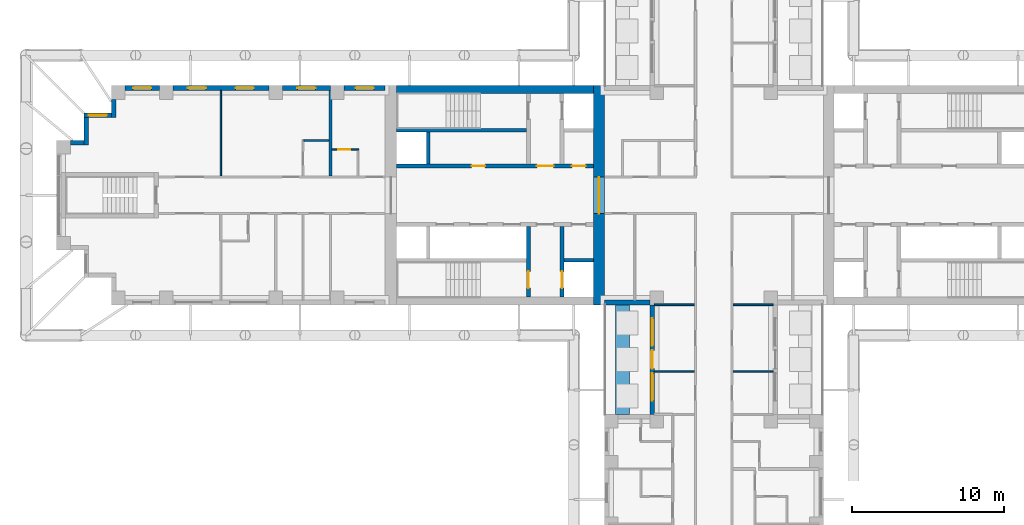
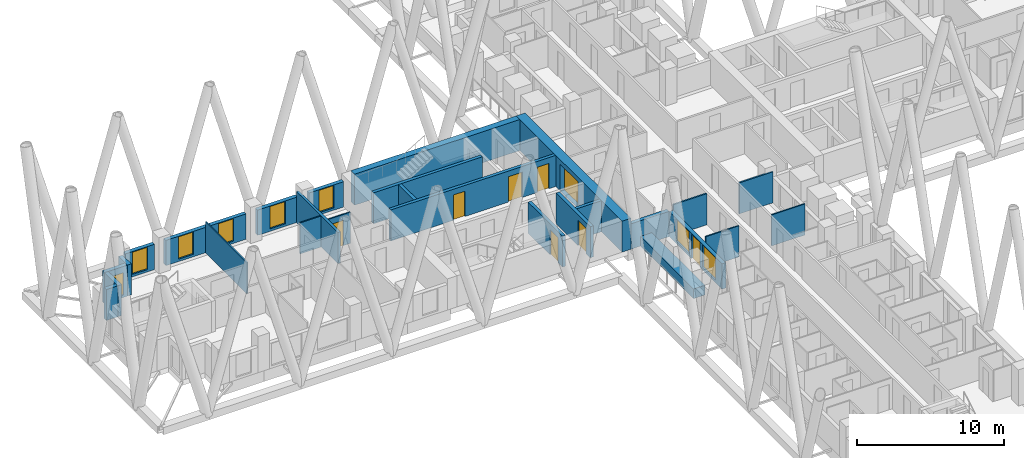
# One storey, part 8 of 16: 27 walls, 8 doors, 8 windows, 16 openings.
"""IFC4 building model written with IfcOpenShell, lengths in metres."""

from ifc_helpers import new_model, si_unit, direction, frame, frame_2d, origin, place, context, subcontext, project, spatial, rectangle, extrude, material, layer, layer_set, type_object, element, fill, save


model = new_model("IFC4")

# Units and contexts
model_context = context("Model", 3, precision=1e-05, world=origin(), true_north=direction((0.0, 1.0)))
body_context = subcontext(model_context, "Body", "Model", "MODEL_VIEW")
ifc_project = project(units=[si_unit("LENGTHUNIT", "METRE"), si_unit("AREAUNIT", "SQUARE_METRE"), si_unit("VOLUMEUNIT", "CUBIC_METRE"), si_unit("PLANEANGLEUNIT", "RADIAN"), si_unit("MASSUNIT", "GRAM", prefix="KILO")], contexts=[model_context])

# Site, building, storey
site_placement = place(None, origin())
site = spatial("IfcSite", under=ifc_project, at=site_placement, CompositionType="ELEMENT")
building_placement = place(site_placement, origin())
building = spatial("IfcBuilding", under=site, at=building_placement, Name="Fustian Cross Tower", CompositionType="ELEMENT")
storey_placement = place(building_placement, frame((0.0, 0.0, 66.89990234375)))
storey = spatial("IfcBuildingStorey", under=building, at=storey_placement, Name="L20", CompositionType="ELEMENT", Elevation=66.89990234375)

# Wall, opening, door
ifc_material_1 = material(Name="Concrete C70/85", Category="concrete")
ifc_layer_1 = layer(ifc_material_1, 0.699951171875)
ifc_layer_set_1 = layer_set([ifc_layer_1], Name="Concrete C70/85")
wall_type_1 = type_object("IfcWallType", Name="CORE END WALL 700 C70/85", PredefinedType="SHEAR", material=ifc_layer_set_1)
wall_1_placement = place(storey_placement, frame((-7.550048828125, -7.199951171875, 0.0), z_axis=(0.0, 0.0, 1.0), x_axis=(0.0, 1.0, 0.0)))
wall_1 = element("IfcWall", 1, at=wall_1_placement, inside=storey, type_object=wall_type_1, Name="Core end wall", PredefinedType="SHEAR", context=body_context, shape_type="SweptSolid", body=[
    extrude(rectangle(XDim=14.39990234375, YDim=0.699951171875, at=frame_2d((7.199951171875, 0.0))), origin(), (0.0, 0.0, 1.0), 2.5751953125),
])
opening_1_placement = place(wall_1_placement, frame((6.0, 0.0, 0.0)))
opening_1 = element("IfcOpeningElement", 2, at=opening_1_placement, cuts=wall_1, Name="Opening CD-09-26", PredefinedType="OPENING", context=body_context, shape_type="SweptSolid", body=[
    extrude(rectangle(XDim=2.39990234375, YDim=2.199951171875, at=frame_2d((1.199951171875, 1.10009765625))), frame((0.0, 0.35986328125, 0.0), z_axis=(0.0, -1.0, 0.0), x_axis=(1.0, 0.0, 0.0)), (0.0, 0.0, 1.0), 0.719970703125),
])
ifc_material_2 = material(Name="Steel", Category="steel")
door_type_1 = type_object("IfcDoorType", Name="FIRE DOOR FD30S DOUBLE 2400X2200", OperationType="DOUBLE_DOOR_DOUBLE_SWING", PredefinedType="DOOR", material=ifc_material_2)
door_1_placement = place(opening_1_placement, origin())
door_1 = element("IfcDoor", 3, at=door_1_placement, inside=storey, type_object=door_type_1, Name="Core door CD-09-26", OperationType="DOUBLE_DOOR_DOUBLE_SWING", OverallHeight=2.199951171875, OverallWidth=2.39990234375, PredefinedType="DOOR", context=body_context, shape_type="SweptSolid", body=[
    extrude(rectangle(XDim=2.39990234375, YDim=2.199951171875, at=frame_2d((1.199951171875, 1.10009765625))), frame((0.0, 0.02490234375, 0.0), z_axis=(0.0, -1.0, 0.0), x_axis=(1.0, 0.0, 0.0)), (0.0, 0.0, 1.0), 0.050048828125),
])
fill(opening_1, door_1)

# Wall
ifc_material_3 = material(Name="Concrete C70/85", Category="concrete")
ifc_layer_2 = layer(ifc_material_3, 0.5)
ifc_layer_set_2 = layer_set([ifc_layer_2], Name="Concrete C70/85")
wall_type_2 = type_object("IfcWallType", Name="CORE FACADE WALL 500 C70/85", PredefinedType="SHEAR", material=ifc_layer_set_2)
wall_2_placement = place(storey_placement, frame((-7.89990234375, 6.949951171875, 0.0), z_axis=(0.0, 0.0, 1.0), x_axis=(-1.0, 0.0, 0.0)))
element("IfcWall", 4, at=wall_2_placement, inside=storey, type_object=wall_type_2, Name="Core facade wall", PredefinedType="SHEAR", context=body_context, shape_type="SweptSolid", body=[
    extrude(rectangle(XDim=12.9501953125, YDim=0.5, at=frame_2d((6.47509765625, 0.0))), origin(), (0.0, 0.0, 1.0), 2.5751953125),
])

# Wall, openings, doors
ifc_material_4 = material(Name="Concrete C50/60", Category="concrete")
ifc_layer_3 = layer(ifc_material_4, 0.25)
ifc_layer_set_3 = layer_set([ifc_layer_3], Name="Concrete C50/60")
wall_type_3 = type_object("IfcWallType", Name="CORE LOBBY WALL 250 C50/60", PredefinedType="SHEAR", material=ifc_layer_set_3)
wall_3_placement = place(storey_placement, frame((-7.89990234375, 1.925048828125, 0.0), z_axis=(0.0, 0.0, 1.0), x_axis=(-1.0, 0.0, 0.0)))
wall_3 = element("IfcWall", 5, at=wall_3_placement, inside=storey, type_object=wall_type_3, Name="Core lobby wall", PredefinedType="SHEAR", context=body_context, shape_type="SweptSolid", body=[
    extrude(rectangle(XDim=12.9501953125, YDim=0.25, at=frame_2d((6.47509765625, 0.0))), origin(), (0.0, 0.0, 1.0), 2.5751953125),
])
opening_2_placement = place(wall_3_placement, frame((0.52490234375, 0.0, 0.0)))
opening_2 = element("IfcOpeningElement", 6, at=opening_2_placement, cuts=wall_3, Name="Opening CD-09-22", PredefinedType="OPENING", context=body_context, shape_type="SweptSolid", body=[
    extrude(rectangle(XDim=0.89990234375, YDim=2.10009765625, at=frame_2d((0.449951171875, 1.050048828125))), frame((0.0, 0.135009765625, 0.0), z_axis=(0.0, -1.0, 0.0), x_axis=(1.0, 0.0, 0.0)), (0.0, 0.0, 1.0), 0.27001953125),
])
opening_3_placement = place(wall_3_placement, frame((2.625, 0.0, 0.0)))
opening_3 = element("IfcOpeningElement", 7, at=opening_3_placement, cuts=wall_3, Name="Opening CD-09-24", PredefinedType="OPENING", context=body_context, shape_type="SweptSolid", body=[
    extrude(rectangle(XDim=1.10009765625, YDim=2.10009765625, at=frame_2d((0.550048828125, 1.050048828125))), frame((0.0, 0.135009765625, 0.0), z_axis=(0.0, -1.0, 0.0), x_axis=(1.0, 0.0, 0.0)), (0.0, 0.0, 1.0), 0.27001953125),
])
opening_4_placement = place(wall_3_placement, frame((7.125, 0.0, 0.0)))
opening_4 = element("IfcOpeningElement", 8, at=opening_4_placement, cuts=wall_3, Name="Opening CD-09-28", PredefinedType="OPENING", context=body_context, shape_type="SweptSolid", body=[
    extrude(rectangle(XDim=0.89990234375, YDim=2.10009765625, at=frame_2d((0.449951171875, 1.050048828125))), frame((0.0, 0.135009765625, 0.0), z_axis=(0.0, -1.0, 0.0), x_axis=(1.0, 0.0, 0.0)), (0.0, 0.0, 1.0), 0.27001953125),
])
ifc_material_5 = material(Name="Steel", Category="steel")
door_type_2 = type_object("IfcDoorType", Name="FIRE DOOR FD30S 900X2100", OperationType="SINGLE_SWING_LEFT", PredefinedType="DOOR", material=ifc_material_5)
door_2_placement = place(opening_4_placement, frame((0.89990234375, 0.0, 0.0), z_axis=(0.0, 0.0, 1.0), x_axis=(-1.0, 0.0, 0.0)))
door_2 = element("IfcDoor", 9, at=door_2_placement, inside=storey, type_object=door_type_2, Name="Core door CD-09-28", OperationType="SINGLE_SWING_RIGHT", OverallHeight=2.10009765625, OverallWidth=0.89990234375, PredefinedType="DOOR", context=body_context, shape_type="SweptSolid", body=[
    extrude(rectangle(XDim=0.89990234375, YDim=2.10009765625, at=frame_2d((0.449951171875, 1.050048828125))), frame((0.0, 0.02490234375, 0.0), z_axis=(0.0, -1.0, 0.0), x_axis=(1.0, 0.0, 0.0)), (0.0, 0.0, 1.0), 0.050048828125),
])
fill(opening_4, door_2)
ifc_material_6 = material(Name="Steel", Category="steel")
door_type_3 = type_object("IfcDoorType", Name="FIRE DOOR FD60S 1100X2100", OperationType="SINGLE_SWING_LEFT", PredefinedType="DOOR", material=ifc_material_6)
door_3_placement = place(opening_3_placement, frame((1.10009765625, 0.0, 0.0), z_axis=(0.0, 0.0, 1.0), x_axis=(-1.0, 0.0, 0.0)))
door_3 = element("IfcDoor", 10, at=door_3_placement, inside=storey, type_object=door_type_3, Name="Core door CD-09-24", OperationType="SINGLE_SWING_RIGHT", OverallHeight=2.10009765625, OverallWidth=1.10009765625, PredefinedType="DOOR", context=body_context, shape_type="SweptSolid", body=[
    extrude(rectangle(XDim=1.10009765625, YDim=2.10009765625, at=frame_2d((0.550048828125, 1.050048828125))), frame((0.0, 0.02490234375, 0.0), z_axis=(0.0, -1.0, 0.0), x_axis=(1.0, 0.0, 0.0)), (0.0, 0.0, 1.0), 0.050048828125),
])
fill(opening_3, door_3)
ifc_material_7 = material(Name="Steel", Category="steel")
door_type_4 = type_object("IfcDoorType", Name="FIRE DOOR FD60S 900X2100", OperationType="SINGLE_SWING_LEFT", PredefinedType="DOOR", material=ifc_material_7)
door_4_placement = place(opening_2_placement, frame((0.89990234375, 0.0, 0.0), z_axis=(0.0, 0.0, 1.0), x_axis=(-1.0, 0.0, 0.0)))
door_4 = element("IfcDoor", 11, at=door_4_placement, inside=storey, type_object=door_type_4, Name="Core door CD-09-22", OperationType="SINGLE_SWING_RIGHT", OverallHeight=2.10009765625, OverallWidth=0.89990234375, PredefinedType="DOOR", context=body_context, shape_type="SweptSolid", body=[
    extrude(rectangle(XDim=0.89990234375, YDim=2.10009765625, at=frame_2d((0.449951171875, 1.050048828125))), frame((0.0, 0.02490234375, 0.0), z_axis=(0.0, -1.0, 0.0), x_axis=(1.0, 0.0, 0.0)), (0.0, 0.0, 1.0), 0.050048828125),
])
fill(opening_2, door_4)

# Walls
ifc_material_8 = material(Name="Concrete C50/60", Category="concrete")
ifc_layer_4 = layer(ifc_material_8, 0.25)
ifc_layer_set_4 = layer_set([ifc_layer_4], Name="Concrete C50/60")
wall_type_4 = type_object("IfcWallType", Name="CORE SHAFT WALL 250 C50/60", PredefinedType="SHEAR", material=ifc_layer_set_4)
wall_4_placement = place(storey_placement, frame((-12.300048828125, 4.27490234375, 0.0), z_axis=(0.0, 0.0, 1.0), x_axis=(-1.0, 0.0, 0.0)))
element("IfcWall", 12, at=wall_4_placement, inside=storey, type_object=wall_type_4, Name="Core shaft wall", PredefinedType="SHEAR", context=body_context, shape_type="SweptSolid", body=[
    extrude(rectangle(XDim=8.550048828125, YDim=0.25, at=frame_2d((4.27490234375, 0.0))), origin(), (0.0, 0.0, 1.0), 2.5751953125),
])
wall_5_placement = place(storey_placement, frame((-7.89990234375, -4.27490234375, 0.0), z_axis=(0.0, 0.0, 1.0), x_axis=(-1.0, 0.0, 0.0)))
element("IfcWall", 13, at=wall_5_placement, inside=storey, type_object=wall_type_4, Name="Core shaft wall", PredefinedType="SHEAR", context=body_context, shape_type="SweptSolid", body=[
    extrude(rectangle(XDim=1.9501953125, YDim=0.25, at=frame_2d((0.97509765625, 0.0))), origin(), (0.0, 0.0, 1.0), 2.5751953125),
])

# Wall, opening, door
wall_6_placement = place(storey_placement, frame((-9.97509765625, -2.050048828125, 0.0), z_axis=(0.0, 0.0, 1.0), x_axis=(0.0, -1.0, 0.0)))
wall_6 = element("IfcWall", 14, at=wall_6_placement, inside=storey, type_object=wall_type_4, Name="Core shaft wall", PredefinedType="SHEAR", context=body_context, shape_type="SweptSolid", body=[
    extrude(rectangle(XDim=4.64990234375, YDim=0.25, at=frame_2d((2.324951171875, 0.0))), origin(), (0.0, 0.0, 1.0), 2.5751953125),
])
opening_5_placement = place(wall_6_placement, frame((2.949951171875, 0.0, 0.0)))
opening_5 = element("IfcOpeningElement", 15, at=opening_5_placement, cuts=wall_6, Name="Opening LD", PredefinedType="OPENING", context=body_context, shape_type="SweptSolid", body=[
    extrude(rectangle(XDim=1.10009765625, YDim=2.10009765625, at=frame_2d((0.550048828125, 1.050048828125))), frame((0.0, 0.135009765625, 0.0), z_axis=(0.0, -1.0, 0.0), x_axis=(1.0, 0.0, 0.0)), (0.0, 0.0, 1.0), 0.27001953125),
])
ifc_material_9 = material(Name="Stainless steel", Category="steel")
door_type_5 = type_object("IfcDoorType", Name="LIFT LANDING DOOR 1100X2100", OperationType="SLIDING_TO_LEFT", PredefinedType="DOOR", material=ifc_material_9)
door_5_placement = place(opening_5_placement, origin())
door_5 = element("IfcDoor", 16, at=door_5_placement, inside=storey, type_object=door_type_5, Name="Landing door SV1W", OperationType="SLIDING_TO_LEFT", OverallHeight=2.10009765625, OverallWidth=1.10009765625, PredefinedType="DOOR", context=body_context, shape_type="SweptSolid", body=[
    extrude(rectangle(XDim=1.10009765625, YDim=2.10009765625, at=frame_2d((0.550048828125, 1.050048828125))), frame((0.0, 0.02490234375, 0.0), z_axis=(0.0, -1.0, 0.0), x_axis=(1.0, 0.0, 0.0)), (0.0, 0.0, 1.0), 0.050048828125),
])
fill(opening_5, door_5)

wall_7_placement = place(storey_placement, frame((-12.175048828125, -2.050048828125, 0.0), z_axis=(0.0, 0.0, 1.0), x_axis=(0.0, -1.0, 0.0)))
wall_7 = element("IfcWall", 17, at=wall_7_placement, inside=storey, type_object=wall_type_4, Name="Core shaft wall", PredefinedType="SHEAR", context=body_context, shape_type="SweptSolid", body=[
    extrude(rectangle(XDim=4.64990234375, YDim=0.25, at=frame_2d((2.324951171875, 0.0))), origin(), (0.0, 0.0, 1.0), 2.5751953125),
])
opening_6_placement = place(wall_7_placement, frame((2.949951171875, 0.0, 0.0)))
opening_6 = element("IfcOpeningElement", 18, at=opening_6_placement, cuts=wall_7, Name="Opening CD-09-21", PredefinedType="OPENING", context=body_context, shape_type="SweptSolid", body=[
    extrude(rectangle(XDim=1.10009765625, YDim=2.10009765625, at=frame_2d((0.550048828125, 1.050048828125))), frame((0.0, 0.135009765625, 0.0), z_axis=(0.0, -1.0, 0.0), x_axis=(1.0, 0.0, 0.0)), (0.0, 0.0, 1.0), 0.27001953125),
])
door_6_placement = place(opening_6_placement, frame((1.10009765625, 0.0, 0.0), z_axis=(0.0, 0.0, 1.0), x_axis=(-1.0, 0.0, 0.0)))
door_6 = element("IfcDoor", 19, at=door_6_placement, inside=storey, type_object=door_type_3, Name="Core door CD-09-21", OperationType="SINGLE_SWING_RIGHT", OverallHeight=2.10009765625, OverallWidth=1.10009765625, PredefinedType="DOOR", context=body_context, shape_type="SweptSolid", body=[
    extrude(rectangle(XDim=1.10009765625, YDim=2.10009765625, at=frame_2d((0.550048828125, 1.050048828125))), frame((0.0, 0.02490234375, 0.0), z_axis=(0.0, -1.0, 0.0), x_axis=(1.0, 0.0, 0.0)), (0.0, 0.0, 1.0), 0.050048828125),
])
fill(opening_6, door_6)

# Walls
ifc_material_10 = material(Name="Plasterboard on steel stud", Category="steel")
ifc_layer_5 = layer(ifc_material_10, 0.10009765625)
ifc_layer_set_5 = layer_set([ifc_layer_5], Name="Plasterboard on steel stud")
wall_type_5 = type_object("IfcWallType", Name="PARTITION 100 STUD", PredefinedType="PARTITIONING", material=ifc_layer_set_5)
wall_8_placement = place(storey_placement, frame((-32.39990234375, 1.27490234375, 0.0), z_axis=(0.0, 0.0, 1.0), x_axis=(0.0, 1.0, 0.0)))
element("IfcWall", 20, at=wall_8_placement, inside=storey, type_object=wall_type_5, Name="Partition 6", PredefinedType="PARTITIONING", context=body_context, shape_type="SweptSolid", body=[
    extrude(rectangle(XDim=5.625, YDim=0.10009765625, at=frame_2d((2.8125, 0.0))), origin(), (0.0, 0.0, 1.0), 2.5751953125),
])
wall_9_placement = place(storey_placement, frame((-26.949951171875, 3.60009765625, 0.0), z_axis=(0.0, 0.0, 1.0), x_axis=(1.0, 0.0, 0.0)))
element("IfcWall", 21, at=wall_9_placement, inside=storey, type_object=wall_type_5, Name="Partition 11", PredefinedType="PARTITIONING", context=body_context, shape_type="SweptSolid", body=[
    extrude(rectangle(XDim=1.64990234375, YDim=0.10009765625, at=frame_2d((0.824951171875, 0.0))), origin(), (0.0, 0.0, 1.0), 2.5751953125),
])

# Wall, opening, door
wall_10_placement = place(storey_placement, frame((-25.10009765625, 3.0, 0.0), z_axis=(0.0, 0.0, 1.0), x_axis=(1.0, 0.0, 0.0)))
wall_10 = element("IfcWall", 22, at=wall_10_placement, inside=storey, type_object=wall_type_5, Name="Partition 14", PredefinedType="PARTITIONING", context=body_context, shape_type="SweptSolid", body=[
    extrude(rectangle(XDim=1.75, YDim=0.10009765625, at=frame_2d((0.875, 0.0))), origin(), (0.0, 0.0, 1.0), 2.5751953125),
])
opening_7_placement = place(wall_10_placement, frame((0.39990234375, 0.0, 0.0)))
opening_7 = element("IfcOpeningElement", 23, at=opening_7_placement, cuts=wall_10, Name="Opening D11031", PredefinedType="OPENING", context=body_context, shape_type="SweptSolid", body=[
    extrude(rectangle(XDim=0.800048828125, YDim=2.10009765625, at=frame_2d((0.39990234375, 1.050048828125))), frame((0.0, 0.06005859375, 0.0), z_axis=(0.0, -1.0, 0.0), x_axis=(1.0, 0.0, 0.0)), (0.0, 0.0, 1.0), 0.1201171875),
])
ifc_material_11 = material(Name="Painted timber", Category="wood")
door_type_6 = type_object("IfcDoorType", Name="SWING DOOR 800", OperationType="SINGLE_SWING_LEFT", PredefinedType="DOOR", material=ifc_material_11)
door_7_placement = place(opening_7_placement, frame((0.800048828125, 0.0, 0.0), z_axis=(0.0, 0.0, 1.0), x_axis=(-1.0, 0.0, 0.0)))
door_7 = element("IfcDoor", 24, at=door_7_placement, inside=storey, type_object=door_type_6, Name="Door D11031", OperationType="SINGLE_SWING_LEFT", OverallHeight=2.10009765625, OverallWidth=0.800048828125, PredefinedType="DOOR", context=body_context, shape_type="SweptSolid", body=[
    extrude(rectangle(XDim=0.800048828125, YDim=2.10009765625, at=frame_2d((0.39990234375, 1.050048828125))), frame((0.0, 0.02490234375, 0.0), z_axis=(0.0, -1.0, 0.0), x_axis=(1.0, 0.0, 0.0)), (0.0, 0.0, 1.0), 0.050048828125),
])
fill(opening_7, door_7)

# Walls
for number, where, z_axis, x_axis, name in (
    (25, (-3.89990234375, -11.60009765625, 0.0), (0.0, 0.0, 1.0), (1.0, 0.0, 0.0), "Partition 39"),
    (26, (1.27490234375, -11.60009765625, 0.0), (0.0, 0.0, 1.0), (1.0, 0.0, 0.0), "Partition 57"),
):
    element("IfcWall", number, at=place(storey_placement, frame(where, z_axis=z_axis, x_axis=x_axis)), inside=storey, type_object=wall_type_5, Name=name, PredefinedType="PARTITIONING", context=body_context, shape_type="SweptSolid", body=[
        extrude(rectangle(XDim=2.625, YDim=0.10009765625, at=frame_2d((1.3125, 0.0))), origin(), (0.0, 0.0, 1.0), 2.5751953125),
    ])
ifc_material_12 = material(Name="Plasterboard on steel stud", Category="steel")
ifc_layer_6 = layer(ifc_material_12, 0.199951171875)
ifc_layer_set_6 = layer_set([ifc_layer_6], Name="Plasterboard on steel stud")
wall_type_6 = type_object("IfcWallType", Name="PARTY WALL 200 EI 60", PredefinedType="PARTITIONING", material=ifc_layer_set_6)
wall_11_placement = place(storey_placement, frame((-25.199951171875, 1.27490234375, 0.0), z_axis=(0.0, 0.0, 1.0), x_axis=(0.0, 1.0, 0.0)))
element("IfcWall", 27, at=wall_11_placement, inside=storey, type_object=wall_type_6, Name="Partition 13", PredefinedType="PARTITIONING", context=body_context, shape_type="SweptSolid", body=[
    extrude(rectangle(XDim=5.625, YDim=0.199951171875, at=frame_2d((2.8125, 0.0))), origin(), (0.0, 0.0, 1.0), 2.5751953125),
])
ifc_material_13 = material(Name="Concrete C40/50", Category="concrete")
ifc_layer_7 = layer(ifc_material_13, 0.89990234375)
ifc_layer_set_7 = layer_set([ifc_layer_7], Name="Concrete C40/50")
wall_type_7 = type_object("IfcWallType", Name="PK1 PLANTER 900", PredefinedType="PARAPET", material=ifc_layer_set_7)
wall_12_placement = place(storey_placement, frame((-6.0, -14.39990234375, 0.0), z_axis=(0.0, 0.0, 1.0), x_axis=(0.0, 1.0, 0.0)))
element("IfcWall", 28, at=wall_12_placement, inside=storey, type_object=wall_type_7, Name="PLANTER", PredefinedType="PARAPET", context=body_context, shape_type="SweptSolid", body=[
    extrude(rectangle(XDim=7.199951171875, YDim=0.89990234375, at=frame_2d((3.60009765625, 0.0))), origin(), (0.0, 0.0, 1.0), 0.800048828125),
])
ifc_material_14 = material(Name="Concrete C40/50", Category="concrete")
ifc_layer_8 = layer(ifc_material_14, 0.25)
ifc_layer_set_8 = layer_set([ifc_layer_8], Name="Concrete C40/50")
wall_type_8 = type_object("IfcWallType", Name="SHAFT PARTITION WALL 250 C40/50", PredefinedType="PARTITIONING", material=ifc_layer_set_8)
wall_13_placement = place(storey_placement, frame((-18.77490234375, 2.050048828125, 0.0), z_axis=(0.0, 0.0, 1.0), x_axis=(0.0, 1.0, 0.0)))
element("IfcWall", 29, at=wall_13_placement, inside=storey, type_object=wall_type_8, Name="Core shaft wall", PredefinedType="PARTITIONING", context=body_context, shape_type="SweptSolid", body=[
    extrude(rectangle(XDim=2.099853515625, YDim=0.25, at=frame_2d((1.0498046875, 0.0))), origin(), (0.0, 0.0, 1.0), 2.5751953125),
])
ifc_material_15 = material(Name="Plasterboard on steel stud", Category="steel")
ifc_layer_9 = layer(ifc_material_15, 0.125)
ifc_layer_set_9 = layer_set([ifc_layer_9], Name="Plasterboard on steel stud")
wall_type_9 = type_object("IfcWallType", Name="WET WALL 125 STUD", PredefinedType="PARTITIONING", material=ifc_layer_set_9)
for number, where, z_axis, x_axis, name in (
    (30, (-3.89990234375, -7.199951171875, 0.0), (0.0, 0.0, 1.0), (1.0, 0.0, 0.0), "Partition 40"),
    (31, (1.27490234375, -7.199951171875, 0.0), (0.0, 0.0, 1.0), (1.0, 0.0, 0.0), "Partition 58"),
):
    element("IfcWall", number, at=place(storey_placement, frame(where, z_axis=z_axis, x_axis=x_axis)), inside=storey, type_object=wall_type_9, Name=name, PredefinedType="PARTITIONING", context=body_context, shape_type="SweptSolid", body=[
        extrude(rectangle(XDim=2.625, YDim=0.125, at=frame_2d((1.3125, 0.0))), origin(), (0.0, 0.0, 1.0), 2.5751953125),
    ])

# Wall, opening, window
ifc_material_16 = material(Name="Dark aluminium cladding on insulated backing wall", Category="aluminium")
ifc_layer_10 = layer(ifc_material_16, 0.300048828125)
ifc_layer_set_10 = layer_set([ifc_layer_10], Name="Dark aluminium cladding on insulated backing wall")
wall_type_10 = type_object("IfcWallType", Name="XW1 EXTERNAL WALL 300", PredefinedType="SOLIDWALL", material=ifc_layer_set_10)
wall_14_placement = place(storey_placement, frame((-21.60009765625, 7.050048828125, 0.0), z_axis=(0.0, 0.0, 1.0), x_axis=(-1.0, 0.0, 0.0)))
wall_14 = element("IfcWall", 32, at=wall_14_placement, inside=storey, type_object=wall_type_10, Name="External wall", PredefinedType="SOLIDWALL", context=body_context, shape_type="SweptSolid", body=[
    extrude(rectangle(XDim=2.699951171875, YDim=0.300048828125, at=frame_2d((1.35009765625, 0.0))), origin(), (0.0, 0.0, 1.0), 2.10009765625),
])
opening_8_placement = place(wall_14_placement, frame((0.75, 0.0, 0.199951171875)))
opening_8 = element("IfcOpeningElement", 33, at=opening_8_placement, cuts=wall_14, Name="Opening WN3", PredefinedType="OPENING", context=body_context, shape_type="SweptSolid", body=[
    extrude(rectangle(XDim=1.199951171875, YDim=1.85009765625, at=frame_2d((0.60009765625, 0.925048828125))), frame((0.0, 0.159912109375, 0.0), z_axis=(0.0, -1.0, 0.0), x_axis=(1.0, 0.0, 0.0)), (0.0, 0.0, 1.0), 0.320068359375),
])
ifc_material_17 = material(Name="Dark anodised aluminium and double glazing", Category="aluminium")
window_type_1 = type_object("IfcWindowType", Name="WN3 WINDOW 1200X1850", PartitioningType="SINGLE_PANEL", PredefinedType="WINDOW", material=ifc_material_17)
window_1_placement = place(opening_8_placement, origin())
window_1 = element("IfcWindow", 34, at=window_1_placement, inside=storey, type_object=window_type_1, Name="Window", OverallHeight=1.85009765625, OverallWidth=1.199951171875, PartitioningType="SINGLE_PANEL", PredefinedType="WINDOW", context=body_context, shape_type="SweptSolid", body=[
    extrude(rectangle(XDim=1.199951171875, YDim=1.85009765625, at=frame_2d((0.60009765625, 0.925048828125))), frame((0.0, 0.030029296875, 0.0), z_axis=(0.0, -1.0, 0.0), x_axis=(1.0, 0.0, 0.0)), (0.0, 0.0, 1.0), 0.06005859375),
])
fill(opening_8, window_1)

wall_15_placement = place(storey_placement, frame((-25.199951171875, 7.050048828125, 0.0), z_axis=(0.0, 0.0, 1.0), x_axis=(-1.0, 0.0, 0.0)))
wall_15 = element("IfcWall", 35, at=wall_15_placement, inside=storey, type_object=wall_type_10, Name="External wall", PredefinedType="SOLIDWALL", context=body_context, shape_type="SweptSolid", body=[
    extrude(rectangle(XDim=3.150146484375, YDim=0.300048828125, at=frame_2d((1.5751953125, 0.0))), origin(), (0.0, 0.0, 1.0), 2.10009765625),
])
opening_9_placement = place(wall_15_placement, frame((0.97509765625, 0.0, 0.199951171875)))
opening_9 = element("IfcOpeningElement", 36, at=opening_9_placement, cuts=wall_15, Name="Opening WN3", PredefinedType="OPENING", context=body_context, shape_type="SweptSolid", body=[
    extrude(rectangle(XDim=1.199951171875, YDim=1.85009765625, at=frame_2d((0.60009765625, 0.925048828125))), frame((0.0, 0.159912109375, 0.0), z_axis=(0.0, -1.0, 0.0), x_axis=(1.0, 0.0, 0.0)), (0.0, 0.0, 1.0), 0.320068359375),
])
window_2_placement = place(opening_9_placement, origin())
window_2 = element("IfcWindow", 37, at=window_2_placement, inside=storey, type_object=window_type_1, Name="Window", OverallHeight=1.85009765625, OverallWidth=1.199951171875, PartitioningType="SINGLE_PANEL", PredefinedType="WINDOW", context=body_context, shape_type="SweptSolid", body=[
    extrude(rectangle(XDim=1.199951171875, YDim=1.85009765625, at=frame_2d((0.60009765625, 0.925048828125))), frame((0.0, 0.030029296875, 0.0), z_axis=(0.0, -1.0, 0.0), x_axis=(1.0, 0.0, 0.0)), (0.0, 0.0, 1.0), 0.06005859375),
])
fill(opening_9, window_2)

# Wall, openings, windows
wall_16_placement = place(storey_placement, frame((-29.25, 7.050048828125, 0.0), z_axis=(0.0, 0.0, 1.0), x_axis=(-1.0, 0.0, 0.0)))
wall_16 = element("IfcWall", 38, at=wall_16_placement, inside=storey, type_object=wall_type_10, Name="External wall", PredefinedType="SOLIDWALL", context=body_context, shape_type="SweptSolid", body=[
    extrude(rectangle(XDim=6.300048828125, YDim=0.300048828125, at=frame_2d((3.14990234375, 0.0))), origin(), (0.0, 0.0, 1.0), 2.10009765625),
])
opening_10_placement = place(wall_16_placement, frame((0.97509765625, 0.0, 0.199951171875)))
opening_10 = element("IfcOpeningElement", 39, at=opening_10_placement, cuts=wall_16, Name="Opening WN3", PredefinedType="OPENING", context=body_context, shape_type="SweptSolid", body=[
    extrude(rectangle(XDim=1.199951171875, YDim=1.85009765625, at=frame_2d((0.60009765625, 0.925048828125))), frame((0.0, 0.159912109375, 0.0), z_axis=(0.0, -1.0, 0.0), x_axis=(1.0, 0.0, 0.0)), (0.0, 0.0, 1.0), 0.320068359375),
])
opening_11_placement = place(wall_16_placement, frame((4.125, 0.0, 0.199951171875)))
opening_11 = element("IfcOpeningElement", 40, at=opening_11_placement, cuts=wall_16, Name="Opening WN3", PredefinedType="OPENING", context=body_context, shape_type="SweptSolid", body=[
    extrude(rectangle(XDim=1.199951171875, YDim=1.85009765625, at=frame_2d((0.60009765625, 0.925048828125))), frame((0.0, 0.159912109375, 0.0), z_axis=(0.0, -1.0, 0.0), x_axis=(1.0, 0.0, 0.0)), (0.0, 0.0, 1.0), 0.320068359375),
])
window_3_placement = place(opening_10_placement, origin())
window_3 = element("IfcWindow", 41, at=window_3_placement, inside=storey, type_object=window_type_1, Name="Window", OverallHeight=1.85009765625, OverallWidth=1.199951171875, PartitioningType="SINGLE_PANEL", PredefinedType="WINDOW", context=body_context, shape_type="SweptSolid", body=[
    extrude(rectangle(XDim=1.199951171875, YDim=1.85009765625, at=frame_2d((0.60009765625, 0.925048828125))), frame((0.0, 0.030029296875, 0.0), z_axis=(0.0, -1.0, 0.0), x_axis=(1.0, 0.0, 0.0)), (0.0, 0.0, 1.0), 0.06005859375),
])
fill(opening_10, window_3)
window_4_placement = place(opening_11_placement, origin())
window_4 = element("IfcWindow", 42, at=window_4_placement, inside=storey, type_object=window_type_1, Name="Window", OverallHeight=1.85009765625, OverallWidth=1.199951171875, PartitioningType="SINGLE_PANEL", PredefinedType="WINDOW", context=body_context, shape_type="SweptSolid", body=[
    extrude(rectangle(XDim=1.199951171875, YDim=1.85009765625, at=frame_2d((0.60009765625, 0.925048828125))), frame((0.0, 0.030029296875, 0.0), z_axis=(0.0, -1.0, 0.0), x_axis=(1.0, 0.0, 0.0)), (0.0, 0.0, 1.0), 0.06005859375),
])
fill(opening_11, window_4)

# Wall, opening, window
wall_17_placement = place(storey_placement, frame((-36.449951171875, 7.050048828125, 0.0), z_axis=(0.0, 0.0, 1.0), x_axis=(-1.0, 0.0, 0.0)))
wall_17 = element("IfcWall", 43, at=wall_17_placement, inside=storey, type_object=wall_type_10, Name="External wall", PredefinedType="SOLIDWALL", context=body_context, shape_type="SweptSolid", body=[
    extrude(rectangle(XDim=2.25, YDim=0.300048828125, at=frame_2d((1.125, 0.0))), origin(), (0.0, 0.0, 1.0), 2.10009765625),
])
opening_12_placement = place(wall_17_placement, frame((0.52490234375, 0.0, 0.199951171875)))
opening_12 = element("IfcOpeningElement", 44, at=opening_12_placement, cuts=wall_17, Name="Opening WN3", PredefinedType="OPENING", context=body_context, shape_type="SweptSolid", body=[
    extrude(rectangle(XDim=1.199951171875, YDim=1.85009765625, at=frame_2d((0.60009765625, 0.925048828125))), frame((0.0, 0.159912109375, 0.0), z_axis=(0.0, -1.0, 0.0), x_axis=(1.0, 0.0, 0.0)), (0.0, 0.0, 1.0), 0.320068359375),
])
window_5_placement = place(opening_12_placement, origin())
window_5 = element("IfcWindow", 45, at=window_5_placement, inside=storey, type_object=window_type_1, Name="Window", OverallHeight=1.85009765625, OverallWidth=1.199951171875, PartitioningType="SINGLE_PANEL", PredefinedType="WINDOW", context=body_context, shape_type="SweptSolid", body=[
    extrude(rectangle(XDim=1.199951171875, YDim=1.85009765625, at=frame_2d((0.60009765625, 0.925048828125))), frame((0.0, 0.030029296875, 0.0), z_axis=(0.0, -1.0, 0.0), x_axis=(1.0, 0.0, 0.0)), (0.0, 0.0, 1.0), 0.06005859375),
])
fill(opening_12, window_5)

# Wall
wall_18_placement = place(storey_placement, frame((-39.449951171875, 6.300048828125, 0.0), z_axis=(0.0, 0.0, 1.0), x_axis=(0.0, -1.0, 0.0)))
element("IfcWall", 46, at=wall_18_placement, inside=storey, type_object=wall_type_10, Name="External wall", PredefinedType="SOLIDWALL", context=body_context, shape_type="SweptSolid", body=[
    extrude(rectangle(XDim=1.199951171875, YDim=0.300048828125, at=frame_2d((0.60009765625, 0.0))), origin(), (0.0, 0.0, 1.0), 2.5751953125),
])

# Wall, opening, window
wall_19_placement = place(storey_placement, frame((-39.60009765625, 5.25, 0.0), z_axis=(0.0, 0.0, 1.0), x_axis=(-1.0, 0.0, 0.0)))
wall_19 = element("IfcWall", 47, at=wall_19_placement, inside=storey, type_object=wall_type_10, Name="External wall", PredefinedType="SOLIDWALL", context=body_context, shape_type="SweptSolid", body=[
    extrude(rectangle(XDim=1.7998046875, YDim=0.300048828125, at=frame_2d((0.89990234375, 0.0))), origin(), (0.0, 0.0, 1.0), 2.5751953125),
])
opening_13_placement = place(wall_19_placement, frame((0.300048828125, 0.0, 0.199951171875)))
opening_13 = element("IfcOpeningElement", 48, at=opening_13_placement, cuts=wall_19, Name="Opening WN3", PredefinedType="OPENING", context=body_context, shape_type="SweptSolid", body=[
    extrude(rectangle(XDim=1.199951171875, YDim=1.85009765625, at=frame_2d((0.60009765625, 0.925048828125))), frame((0.0, 0.159912109375, 0.0), z_axis=(0.0, -1.0, 0.0), x_axis=(1.0, 0.0, 0.0)), (0.0, 0.0, 1.0), 0.320068359375),
])
window_6_placement = place(opening_13_placement, origin())
window_6 = element("IfcWindow", 49, at=window_6_placement, inside=storey, type_object=window_type_1, Name="Window", OverallHeight=1.85009765625, OverallWidth=1.199951171875, PartitioningType="SINGLE_PANEL", PredefinedType="WINDOW", context=body_context, shape_type="SweptSolid", body=[
    extrude(rectangle(XDim=1.199951171875, YDim=1.85009765625, at=frame_2d((0.60009765625, 0.925048828125))), frame((0.0, 0.030029296875, 0.0), z_axis=(0.0, -1.0, 0.0), x_axis=(1.0, 0.0, 0.0)), (0.0, 0.0, 1.0), 0.06005859375),
])
fill(opening_13, window_6)

# Walls
wall_20_placement = place(storey_placement, frame((-41.25, 5.10009765625, 0.0), z_axis=(0.0, 0.0, 1.0), x_axis=(0.0, -1.0, 0.0)))
element("IfcWall", 50, at=wall_20_placement, inside=storey, type_object=wall_type_10, Name="External wall", PredefinedType="SOLIDWALL", context=body_context, shape_type="SweptSolid", body=[
    extrude(rectangle(XDim=1.800048828125, YDim=0.300048828125, at=frame_2d((0.89990234375, 0.0))), origin(), (0.0, 0.0, 1.0), 2.5751953125),
])
wall_21_placement = place(storey_placement, frame((-41.39990234375, 3.449951171875, 0.0), z_axis=(0.0, 0.0, 1.0), x_axis=(-1.0, 0.0, 0.0)))
element("IfcWall", 51, at=wall_21_placement, inside=storey, type_object=wall_type_10, Name="External wall", PredefinedType="SOLIDWALL", context=body_context, shape_type="SweptSolid", body=[
    extrude(rectangle(XDim=0.900146484375, YDim=0.300048828125, at=frame_2d((0.4501953125, 0.0))), origin(), (0.0, 0.0, 1.0), 2.5751953125),
])
wall_22_placement = place(storey_placement, frame((-7.199951171875, -7.050048828125, 0.0), z_axis=(0.0, 0.0, 1.0), x_axis=(1.0, 0.0, 0.0)))
element("IfcWall", 52, at=wall_22_placement, inside=storey, type_object=wall_type_10, Name="External wall", PredefinedType="SOLIDWALL", context=body_context, shape_type="SweptSolid", body=[
    extrude(rectangle(XDim=3.0, YDim=0.300048828125, at=frame_2d((1.5, 0.0))), origin(), (0.0, 0.0, 1.0), 2.10009765625),
])

# Wall, openings, door, windows
wall_23_placement = place(storey_placement, frame((-4.050048828125, -7.199951171875, 0.0), z_axis=(0.0, 0.0, 1.0), x_axis=(0.0, -1.0, 0.0)))
wall_23 = element("IfcWall", 53, at=wall_23_placement, inside=storey, type_object=wall_type_10, Name="External wall", PredefinedType="SOLIDWALL", context=body_context, shape_type="SweptSolid", body=[
    extrude(rectangle(XDim=7.199951171875, YDim=0.300048828125, at=frame_2d((3.60009765625, 0.0))), origin(), (0.0, 0.0, 1.0), 2.10009765625),
])
opening_14_placement = place(wall_23_placement, frame((3.0, 0.0, 0.0)))
opening_14 = element("IfcOpeningElement", 54, at=opening_14_placement, cuts=wall_23, Name="Opening XD4", PredefinedType="OPENING", context=body_context, shape_type="SweptSolid", body=[
    extrude(rectangle(XDim=1.199951171875, YDim=2.050048828125, at=frame_2d((0.60009765625, 1.02490234375))), frame((0.0, 0.159912109375, 0.0), z_axis=(0.0, -1.0, 0.0), x_axis=(1.0, 0.0, 0.0)), (0.0, 0.0, 1.0), 0.320068359375),
])
opening_15_placement = place(wall_23_placement, frame((0.89990234375, 0.0, 0.199951171875)))
opening_15 = element("IfcOpeningElement", 55, at=opening_15_placement, cuts=wall_23, Name="Opening WN2", PredefinedType="OPENING", context=body_context, shape_type="SweptSolid", body=[
    extrude(rectangle(XDim=1.800048828125, YDim=1.85009765625, at=frame_2d((0.89990234375, 0.925048828125))), frame((0.0, 0.159912109375, 0.0), z_axis=(0.0, -1.0, 0.0), x_axis=(1.0, 0.0, 0.0)), (0.0, 0.0, 1.0), 0.320068359375),
])
opening_16_placement = place(wall_23_placement, frame((4.5, 0.0, 0.199951171875)))
opening_16 = element("IfcOpeningElement", 56, at=opening_16_placement, cuts=wall_23, Name="Opening WN2", PredefinedType="OPENING", context=body_context, shape_type="SweptSolid", body=[
    extrude(rectangle(XDim=1.800048828125, YDim=1.85009765625, at=frame_2d((0.89990234375, 0.925048828125))), frame((0.0, 0.159912109375, 0.0), z_axis=(0.0, -1.0, 0.0), x_axis=(1.0, 0.0, 0.0)), (0.0, 0.0, 1.0), 0.320068359375),
])
ifc_material_18 = material(Name="Dark anodised aluminium and double glazing", Category="aluminium")
door_type_7 = type_object("IfcDoorType", Name="ED1 BALCONY DOOR 1200X2050", OperationType="SINGLE_SWING_LEFT", PredefinedType="DOOR", material=ifc_material_18)
door_8_placement = place(opening_14_placement, origin())
door_8 = element("IfcDoor", 57, at=door_8_placement, inside=storey, type_object=door_type_7, Name="Balcony door", OperationType="SINGLE_SWING_LEFT", OverallHeight=2.050048828125, OverallWidth=1.199951171875, PredefinedType="DOOR", context=body_context, shape_type="SweptSolid", body=[
    extrude(rectangle(XDim=1.199951171875, YDim=2.050048828125, at=frame_2d((0.60009765625, 1.02490234375))), frame((0.0, 0.02490234375, 0.0), z_axis=(0.0, -1.0, 0.0), x_axis=(1.0, 0.0, 0.0)), (0.0, 0.0, 1.0), 0.050048828125),
])
fill(opening_14, door_8)
ifc_material_19 = material(Name="Dark anodised aluminium and double glazing", Category="aluminium")
window_type_2 = type_object("IfcWindowType", Name="WN2 WINDOW 1800X1850", PartitioningType="SINGLE_PANEL", PredefinedType="WINDOW", material=ifc_material_19)
window_7_placement = place(opening_15_placement, origin())
window_7 = element("IfcWindow", 58, at=window_7_placement, inside=storey, type_object=window_type_2, Name="Window", OverallHeight=1.85009765625, OverallWidth=1.800048828125, PartitioningType="SINGLE_PANEL", PredefinedType="WINDOW", context=body_context, shape_type="SweptSolid", body=[
    extrude(rectangle(XDim=1.800048828125, YDim=1.85009765625, at=frame_2d((0.89990234375, 0.925048828125))), frame((0.0, 0.030029296875, 0.0), z_axis=(0.0, -1.0, 0.0), x_axis=(1.0, 0.0, 0.0)), (0.0, 0.0, 1.0), 0.06005859375),
])
fill(opening_15, window_7)
window_8_placement = place(opening_16_placement, origin())
window_8 = element("IfcWindow", 59, at=window_8_placement, inside=storey, type_object=window_type_2, Name="Window", OverallHeight=1.85009765625, OverallWidth=1.800048828125, PartitioningType="SINGLE_PANEL", PredefinedType="WINDOW", context=body_context, shape_type="SweptSolid", body=[
    extrude(rectangle(XDim=1.800048828125, YDim=1.85009765625, at=frame_2d((0.89990234375, 0.925048828125))), frame((0.0, 0.030029296875, 0.0), z_axis=(0.0, -1.0, 0.0), x_axis=(1.0, 0.0, 0.0)), (0.0, 0.0, 1.0), 0.06005859375),
])
fill(opening_16, window_8)

save(model, "model.ifc")
